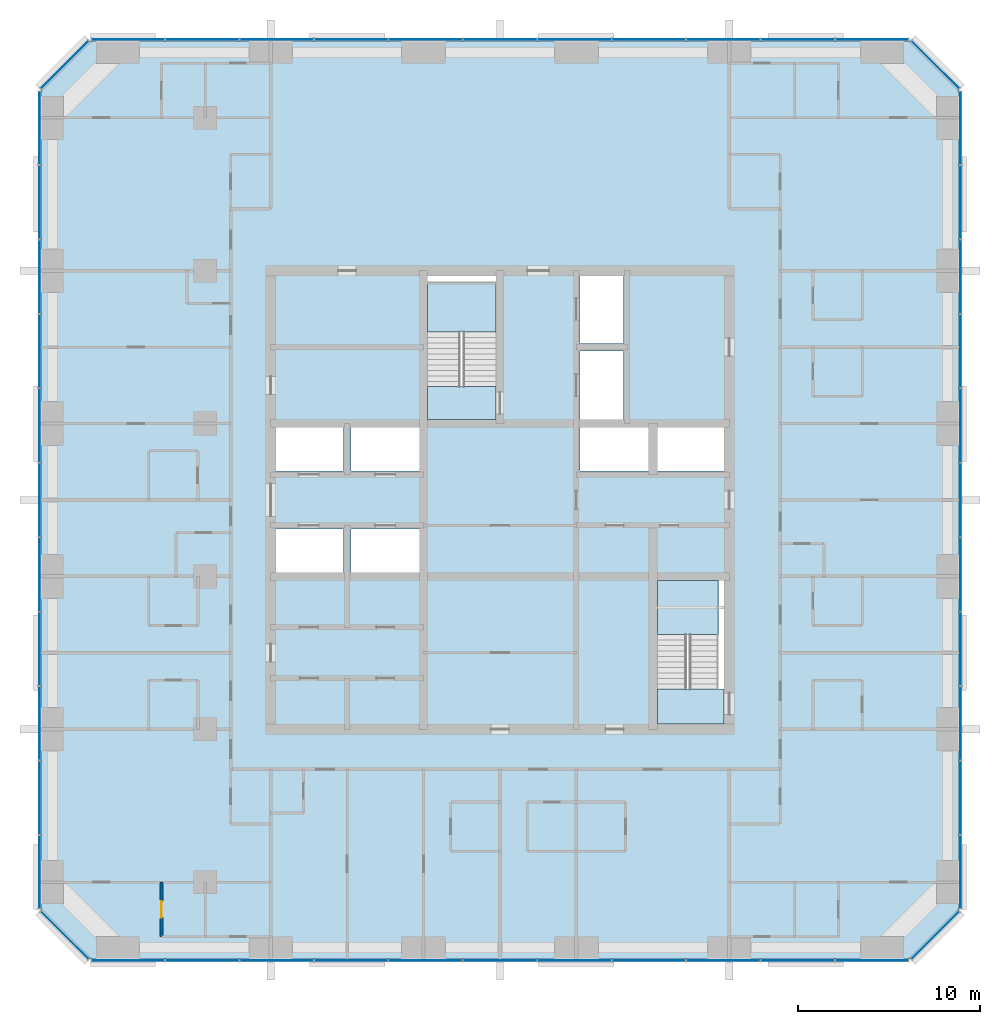
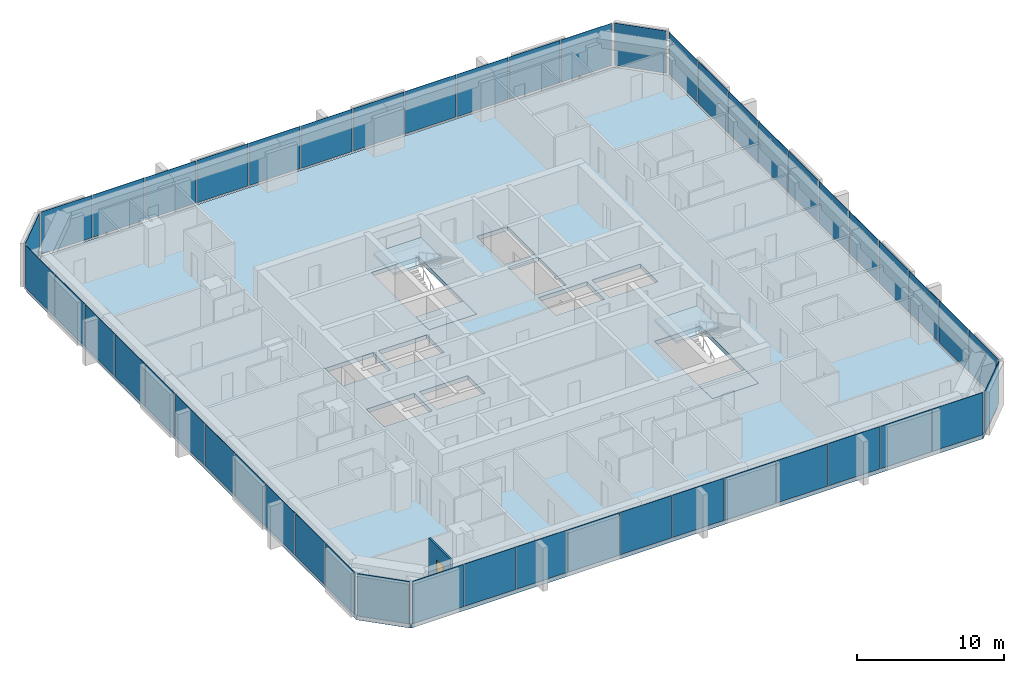
# One storey, part 7 of 13: 48 plates, 5 slabs, 1 door, 1 wall, 1 opening, 10 elements without a shape of their own.
"""IFC4 building model written with IfcOpenShell, lengths in metres."""

from ifc_helpers import new_model, si_unit, direction, frame, frame_2d, origin, origin_2d, place, context, subcontext, project, spatial, polyline, rectangle, outline, extrude, material, layer, layer_set, type_object, element, fill, aggregate, save


model = new_model("IFC4")

# Units and contexts
model_context = context("Model", 3, precision=1e-05, world=origin(), true_north=direction((0.0, 1.0)))
body_context = subcontext(model_context, "Body", "Model", "MODEL_VIEW")
ifc_project = project(units=[si_unit("LENGTHUNIT", "METRE"), si_unit("AREAUNIT", "SQUARE_METRE"), si_unit("VOLUMEUNIT", "CUBIC_METRE"), si_unit("PLANEANGLEUNIT", "RADIAN"), si_unit("MASSUNIT", "GRAM", prefix="KILO")], contexts=[model_context])

# Site, building, storey
site_placement = place(None, origin())
site = spatial("IfcSite", under=ifc_project, at=site_placement, CompositionType="ELEMENT")
building_placement = place(site_placement, origin())
building = spatial("IfcBuilding", under=site, at=building_placement, Name="Dunama Terrace Hotel", CompositionType="ELEMENT")
storey_placement = place(building_placement, frame((0.0, 0.0, 209.39990234375)))
storey = spatial("IfcBuildingStorey", under=building, at=storey_placement, Name="L54", CompositionType="ELEMENT", Elevation=209.39990234375)

# Curtain wall, plates
ifc_material_1 = material(Name="Aluminium curtain wall system", Category="aluminium")
curtain_wall_type = type_object("IfcCurtainWallType", Name="Unitised fritted glass wall CW-C", PredefinedType="NOTDEFINED", material=ifc_material_1)
curtain_wall_1_placement = place(storey_placement, origin())
curtain_wall_1 = element("IfcCurtainWall", 1, at=curtain_wall_1_placement, inside=storey, type_object=curtain_wall_type, Name="Unitised fritted glass wall CW-C L54", PredefinedType="NOTDEFINED")
ifc_material_2 = material(Name="Laminated glass", Category="glass")
ifc_layer_1 = layer(ifc_material_2, 0.031982421875)
ifc_layer_set_1 = layer_set([ifc_layer_1], Name="CWC clear glass panel")
plate_type_1 = type_object("IfcPlateType", Name="CWC clear glass panel", PredefinedType="CURTAIN_PANEL", material=ifc_layer_set_1)
plate_1_placement = place(storey_placement, frame((17.126953125, 4.10009765625, 0.080078125), z_axis=(0.0, 0.0, 1.0), x_axis=(1.0, 0.0, 0.0)))
plate_1 = element("IfcPlate", 2, at=plate_1_placement, type_object=plate_type_1, Name="CWC clear glass panel", PredefinedType="CURTAIN_PANEL", context=body_context, shape_type="SweptSolid", body=[
    extrude(rectangle(XDim=4.02099609375, YDim=0.031982421875, at=origin_2d()), origin(), (0.0, 0.0, 1.0), 3.52001953125),
])
plate_2_placement = place(storey_placement, frame((29.39990234375, 4.10009765625, 0.080078125), z_axis=(0.0, 0.0, 1.0), x_axis=(1.0, 0.0, 0.0)))
plate_2 = element("IfcPlate", 3, at=plate_2_placement, type_object=plate_type_1, Name="CWC clear glass panel", PredefinedType="CURTAIN_PANEL", context=body_context, shape_type="SweptSolid", body=[
    extrude(rectangle(XDim=4.02099609375, YDim=0.031982421875, at=origin_2d()), origin(), (0.0, 0.0, 1.0), 3.52001953125),
])
plate_3_placement = place(storey_placement, frame((41.673095703125, 4.10009765625, 0.080078125), z_axis=(0.0, 0.0, 1.0), x_axis=(1.0, 0.0, 0.0)))
plate_3 = element("IfcPlate", 4, at=plate_3_placement, type_object=plate_type_1, Name="CWC clear glass panel", PredefinedType="CURTAIN_PANEL", context=body_context, shape_type="SweptSolid", body=[
    extrude(rectangle(XDim=4.02099609375, YDim=0.031982421875, at=origin_2d()), origin(), (0.0, 0.0, 1.0), 3.52001953125),
])

# Curtain wall, plate
curtain_wall_2_placement = place(storey_placement, origin())
curtain_wall_2 = element("IfcCurtainWall", 5, at=curtain_wall_2_placement, inside=storey, type_object=curtain_wall_type, Name="Unitised fritted glass wall CW-C L54", PredefinedType="NOTDEFINED")
plate_4_placement = place(storey_placement, frame((53.321044921875, 5.47900390625, 0.080078125), z_axis=(0.0, 0.0, 1.0), x_axis=(0.707106781187, 0.707106781187, 0.0)))
plate_4 = element("IfcPlate", 6, at=plate_4_placement, type_object=plate_type_1, Name="CWC clear glass panel", PredefinedType="CURTAIN_PANEL", context=body_context, shape_type="SweptSolid", body=[
    extrude(rectangle(XDim=3.678466796875, YDim=0.031982421875, at=origin_2d()), origin(), (0.0, 0.0, 1.0), 3.52001953125),
])
aggregate(curtain_wall_2, [plate_4])

# Curtain wall, plates
curtain_wall_3_placement = place(storey_placement, origin())
curtain_wall_3 = element("IfcCurtainWall", 7, at=curtain_wall_3_placement, inside=storey, type_object=curtain_wall_type, Name="Unitised fritted glass wall CW-C L54", PredefinedType="NOTDEFINED")
plate_5_placement = place(storey_placement, frame((54.699951171875, 17.126953125, 0.080078125), z_axis=(0.0, 0.0, 1.0), x_axis=(0.0, 1.0, 0.0)))
plate_5 = element("IfcPlate", 8, at=plate_5_placement, type_object=plate_type_1, Name="CWC clear glass panel", PredefinedType="CURTAIN_PANEL", context=body_context, shape_type="SweptSolid", body=[
    extrude(rectangle(XDim=4.02099609375, YDim=0.031982421875, at=origin_2d()), origin(), (0.0, 0.0, 1.0), 3.52001953125),
])
plate_6_placement = place(storey_placement, frame((54.699951171875, 29.39990234375, 0.080078125), z_axis=(0.0, 0.0, 1.0), x_axis=(0.0, 1.0, 0.0)))
plate_6 = element("IfcPlate", 9, at=plate_6_placement, type_object=plate_type_1, Name="CWC clear glass panel", PredefinedType="CURTAIN_PANEL", context=body_context, shape_type="SweptSolid", body=[
    extrude(rectangle(XDim=4.02099609375, YDim=0.031982421875, at=origin_2d()), origin(), (0.0, 0.0, 1.0), 3.52001953125),
])
plate_7_placement = place(storey_placement, frame((54.699951171875, 41.673095703125, 0.080078125), z_axis=(0.0, 0.0, 1.0), x_axis=(0.0, 1.0, 0.0)))
plate_7 = element("IfcPlate", 10, at=plate_7_placement, type_object=plate_type_1, Name="CWC clear glass panel", PredefinedType="CURTAIN_PANEL", context=body_context, shape_type="SweptSolid", body=[
    extrude(rectangle(XDim=4.02099609375, YDim=0.031982421875, at=origin_2d()), origin(), (0.0, 0.0, 1.0), 3.52001953125),
])

# Curtain wall, plate
curtain_wall_4_placement = place(storey_placement, origin())
curtain_wall_4 = element("IfcCurtainWall", 11, at=curtain_wall_4_placement, inside=storey, type_object=curtain_wall_type, Name="Unitised fritted glass wall CW-C L54", PredefinedType="NOTDEFINED")
plate_8_placement = place(storey_placement, frame((53.321044921875, 53.321044921875, 0.080078125), z_axis=(0.0, 0.0, 1.0), x_axis=(-0.707106781187, 0.707106781187, 0.0)))
plate_8 = element("IfcPlate", 12, at=plate_8_placement, type_object=plate_type_1, Name="CWC clear glass panel", PredefinedType="CURTAIN_PANEL", context=body_context, shape_type="SweptSolid", body=[
    extrude(rectangle(XDim=3.678466796875, YDim=0.031982421875, at=origin_2d()), origin(), (0.0, 0.0, 1.0), 3.52001953125),
])
aggregate(curtain_wall_4, [plate_8])

# Curtain wall, plates
curtain_wall_5_placement = place(storey_placement, origin())
curtain_wall_5 = element("IfcCurtainWall", 13, at=curtain_wall_5_placement, inside=storey, type_object=curtain_wall_type, Name="Unitised fritted glass wall CW-C L54", PredefinedType="NOTDEFINED")
plate_9_placement = place(storey_placement, frame((41.673095703125, 54.699951171875, 0.080078125), z_axis=(0.0, 0.0, 1.0), x_axis=(-1.0, 0.0, 0.0)))
plate_9 = element("IfcPlate", 14, at=plate_9_placement, type_object=plate_type_1, Name="CWC clear glass panel", PredefinedType="CURTAIN_PANEL", context=body_context, shape_type="SweptSolid", body=[
    extrude(rectangle(XDim=4.02099609375, YDim=0.031982421875, at=origin_2d()), origin(), (0.0, 0.0, 1.0), 3.52001953125),
])
plate_10_placement = place(storey_placement, frame((29.39990234375, 54.699951171875, 0.080078125), z_axis=(0.0, 0.0, 1.0), x_axis=(-1.0, 0.0, 0.0)))
plate_10 = element("IfcPlate", 15, at=plate_10_placement, type_object=plate_type_1, Name="CWC clear glass panel", PredefinedType="CURTAIN_PANEL", context=body_context, shape_type="SweptSolid", body=[
    extrude(rectangle(XDim=4.02099609375, YDim=0.031982421875, at=origin_2d()), origin(), (0.0, 0.0, 1.0), 3.52001953125),
])
plate_11_placement = place(storey_placement, frame((17.126953125, 54.699951171875, 0.080078125), z_axis=(0.0, 0.0, 1.0), x_axis=(-1.0, 0.0, 0.0)))
plate_11 = element("IfcPlate", 16, at=plate_11_placement, type_object=plate_type_1, Name="CWC clear glass panel", PredefinedType="CURTAIN_PANEL", context=body_context, shape_type="SweptSolid", body=[
    extrude(rectangle(XDim=4.02099609375, YDim=0.031982421875, at=origin_2d()), origin(), (0.0, 0.0, 1.0), 3.52001953125),
])

# Curtain wall, plate
curtain_wall_6_placement = place(storey_placement, origin())
curtain_wall_6 = element("IfcCurtainWall", 17, at=curtain_wall_6_placement, inside=storey, type_object=curtain_wall_type, Name="Unitised fritted glass wall CW-C L54", PredefinedType="NOTDEFINED")
plate_12_placement = place(storey_placement, frame((5.47900390625, 53.321044921875, 0.080078125), z_axis=(0.0, 0.0, 1.0), x_axis=(-0.707106781187, -0.707106781187, 0.0)))
plate_12 = element("IfcPlate", 18, at=plate_12_placement, type_object=plate_type_1, Name="CWC clear glass panel", PredefinedType="CURTAIN_PANEL", context=body_context, shape_type="SweptSolid", body=[
    extrude(rectangle(XDim=3.678466796875, YDim=0.031982421875, at=origin_2d()), origin(), (0.0, 0.0, 1.0), 3.52001953125),
])
aggregate(curtain_wall_6, [plate_12])

# Curtain wall, plates
curtain_wall_7_placement = place(storey_placement, origin())
curtain_wall_7 = element("IfcCurtainWall", 19, at=curtain_wall_7_placement, inside=storey, type_object=curtain_wall_type, Name="Unitised fritted glass wall CW-C L54", PredefinedType="NOTDEFINED")
plate_13_placement = place(storey_placement, frame((4.10009765625, 41.673095703125, 0.080078125), z_axis=(0.0, 0.0, 1.0), x_axis=(0.0, -1.0, 0.0)))
plate_13 = element("IfcPlate", 20, at=plate_13_placement, type_object=plate_type_1, Name="CWC clear glass panel", PredefinedType="CURTAIN_PANEL", context=body_context, shape_type="SweptSolid", body=[
    extrude(rectangle(XDim=4.02099609375, YDim=0.031982421875, at=origin_2d()), origin(), (0.0, 0.0, 1.0), 3.52001953125),
])
plate_14_placement = place(storey_placement, frame((4.10009765625, 29.39990234375, 0.080078125), z_axis=(0.0, 0.0, 1.0), x_axis=(0.0, -1.0, 0.0)))
plate_14 = element("IfcPlate", 21, at=plate_14_placement, type_object=plate_type_1, Name="CWC clear glass panel", PredefinedType="CURTAIN_PANEL", context=body_context, shape_type="SweptSolid", body=[
    extrude(rectangle(XDim=4.02099609375, YDim=0.031982421875, at=origin_2d()), origin(), (0.0, 0.0, 1.0), 3.52001953125),
])
plate_15_placement = place(storey_placement, frame((4.10009765625, 17.126953125, 0.080078125), z_axis=(0.0, 0.0, 1.0), x_axis=(0.0, -1.0, 0.0)))
plate_15 = element("IfcPlate", 22, at=plate_15_placement, type_object=plate_type_1, Name="CWC clear glass panel", PredefinedType="CURTAIN_PANEL", context=body_context, shape_type="SweptSolid", body=[
    extrude(rectangle(XDim=4.02099609375, YDim=0.031982421875, at=origin_2d()), origin(), (0.0, 0.0, 1.0), 3.52001953125),
])

# Curtain wall, plate
curtain_wall_8_placement = place(storey_placement, origin())
curtain_wall_8 = element("IfcCurtainWall", 23, at=curtain_wall_8_placement, inside=storey, type_object=curtain_wall_type, Name="Unitised fritted glass wall CW-C L54", PredefinedType="NOTDEFINED")
plate_16_placement = place(storey_placement, frame((5.47900390625, 5.47900390625, 0.080078125), z_axis=(0.0, 0.0, 1.0), x_axis=(0.707106781187, -0.707106781187, 0.0)))
plate_16 = element("IfcPlate", 24, at=plate_16_placement, type_object=plate_type_1, Name="CWC clear glass panel", PredefinedType="CURTAIN_PANEL", context=body_context, shape_type="SweptSolid", body=[
    extrude(rectangle(XDim=3.678466796875, YDim=0.031982421875, at=origin_2d()), origin(), (0.0, 0.0, 1.0), 3.52001953125),
])
aggregate(curtain_wall_8, [plate_16])

# Plate
ifc_material_3 = material(Name="Fritted laminated glass", Category="glass")
ifc_layer_2 = layer(ifc_material_3, 0.031982421875)
ifc_layer_set_2 = layer_set([ifc_layer_2], Name="CWC fritted glass panel")
plate_type_2 = type_object("IfcPlateType", Name="CWC fritted glass panel", PredefinedType="CURTAIN_PANEL", material=ifc_layer_set_2)
plate_17_placement = place(storey_placement, frame((13.035888671875, 4.10009765625, 0.080078125), z_axis=(0.0, 0.0, 1.0), x_axis=(1.0, 0.0, 0.0)))
plate_17 = element("IfcPlate", 25, at=plate_17_placement, type_object=plate_type_2, Name="CWC fritted glass panel", PredefinedType="CURTAIN_PANEL", context=body_context, shape_type="SweptSolid", body=[
    extrude(rectangle(XDim=4.02099609375, YDim=0.031982421875, at=origin_2d()), origin(), (0.0, 0.0, 1.0), 3.52001953125),
])

plate_18_placement = place(storey_placement, frame((25.30908203125, 4.10009765625, 0.080078125), z_axis=(0.0, 0.0, 1.0), x_axis=(1.0, 0.0, 0.0)))
plate_18 = element("IfcPlate", 26, at=plate_18_placement, type_object=plate_type_2, Name="CWC fritted glass panel", PredefinedType="CURTAIN_PANEL", context=body_context, shape_type="SweptSolid", body=[
    extrude(rectangle(XDim=4.02099609375, YDim=0.031982421875, at=origin_2d()), origin(), (0.0, 0.0, 1.0), 3.52001953125),
])

plate_19_placement = place(storey_placement, frame((37.58203125, 4.10009765625, 0.080078125), z_axis=(0.0, 0.0, 1.0), x_axis=(1.0, 0.0, 0.0)))
plate_19 = element("IfcPlate", 27, at=plate_19_placement, type_object=plate_type_2, Name="CWC fritted glass panel", PredefinedType="CURTAIN_PANEL", context=body_context, shape_type="SweptSolid", body=[
    extrude(rectangle(XDim=4.02099609375, YDim=0.031982421875, at=origin_2d()), origin(), (0.0, 0.0, 1.0), 3.52001953125),
])

plate_20_placement = place(storey_placement, frame((49.8369140625, 4.10009765625, 0.080078125), z_axis=(0.0, 0.0, 1.0), x_axis=(1.0, 0.0, 0.0)))
plate_20 = element("IfcPlate", 28, at=plate_20_placement, type_object=plate_type_2, Name="CWC fritted glass panel", PredefinedType="CURTAIN_PANEL", context=body_context, shape_type="SweptSolid", body=[
    extrude(rectangle(XDim=3.98583984375, YDim=0.031982421875, at=origin_2d()), origin(), (0.0, 0.0, 1.0), 3.52001953125),
])

plate_21_placement = place(storey_placement, frame((54.699951171875, 13.035888671875, 0.080078125), z_axis=(0.0, 0.0, 1.0), x_axis=(0.0, 1.0, 0.0)))
plate_21 = element("IfcPlate", 29, at=plate_21_placement, type_object=plate_type_2, Name="CWC fritted glass panel", PredefinedType="CURTAIN_PANEL", context=body_context, shape_type="SweptSolid", body=[
    extrude(rectangle(XDim=4.02099609375, YDim=0.031982421875, at=origin_2d()), origin(), (0.0, 0.0, 1.0), 3.52001953125),
])

plate_22_placement = place(storey_placement, frame((54.699951171875, 25.30908203125, 0.080078125), z_axis=(0.0, 0.0, 1.0), x_axis=(0.0, 1.0, 0.0)))
plate_22 = element("IfcPlate", 30, at=plate_22_placement, type_object=plate_type_2, Name="CWC fritted glass panel", PredefinedType="CURTAIN_PANEL", context=body_context, shape_type="SweptSolid", body=[
    extrude(rectangle(XDim=4.02099609375, YDim=0.031982421875, at=origin_2d()), origin(), (0.0, 0.0, 1.0), 3.52001953125),
])

plate_23_placement = place(storey_placement, frame((54.699951171875, 37.58203125, 0.080078125), z_axis=(0.0, 0.0, 1.0), x_axis=(0.0, 1.0, 0.0)))
plate_23 = element("IfcPlate", 31, at=plate_23_placement, type_object=plate_type_2, Name="CWC fritted glass panel", PredefinedType="CURTAIN_PANEL", context=body_context, shape_type="SweptSolid", body=[
    extrude(rectangle(XDim=4.02099609375, YDim=0.031982421875, at=origin_2d()), origin(), (0.0, 0.0, 1.0), 3.52001953125),
])

plate_24_placement = place(storey_placement, frame((54.699951171875, 49.8369140625, 0.080078125), z_axis=(0.0, 0.0, 1.0), x_axis=(0.0, 1.0, 0.0)))
plate_24 = element("IfcPlate", 32, at=plate_24_placement, type_object=plate_type_2, Name="CWC fritted glass panel", PredefinedType="CURTAIN_PANEL", context=body_context, shape_type="SweptSolid", body=[
    extrude(rectangle(XDim=3.98583984375, YDim=0.031982421875, at=origin_2d()), origin(), (0.0, 0.0, 1.0), 3.52001953125),
])

plate_25_placement = place(storey_placement, frame((45.763916015625, 54.699951171875, 0.080078125), z_axis=(0.0, 0.0, 1.0), x_axis=(-1.0, 0.0, 0.0)))
plate_25 = element("IfcPlate", 33, at=plate_25_placement, type_object=plate_type_2, Name="CWC fritted glass panel", PredefinedType="CURTAIN_PANEL", context=body_context, shape_type="SweptSolid", body=[
    extrude(rectangle(XDim=4.02099609375, YDim=0.031982421875, at=origin_2d()), origin(), (0.0, 0.0, 1.0), 3.52001953125),
])

plate_26_placement = place(storey_placement, frame((33.490966796875, 54.699951171875, 0.080078125), z_axis=(0.0, 0.0, 1.0), x_axis=(-1.0, 0.0, 0.0)))
plate_26 = element("IfcPlate", 34, at=plate_26_placement, type_object=plate_type_2, Name="CWC fritted glass panel", PredefinedType="CURTAIN_PANEL", context=body_context, shape_type="SweptSolid", body=[
    extrude(rectangle(XDim=4.02099609375, YDim=0.031982421875, at=origin_2d()), origin(), (0.0, 0.0, 1.0), 3.52001953125),
])

plate_27_placement = place(storey_placement, frame((21.218017578125, 54.699951171875, 0.080078125), z_axis=(0.0, 0.0, 1.0), x_axis=(-1.0, 0.0, 0.0)))
plate_27 = element("IfcPlate", 35, at=plate_27_placement, type_object=plate_type_2, Name="CWC fritted glass panel", PredefinedType="CURTAIN_PANEL", context=body_context, shape_type="SweptSolid", body=[
    extrude(rectangle(XDim=4.02099609375, YDim=0.031982421875, at=origin_2d()), origin(), (0.0, 0.0, 1.0), 3.52001953125),
])

plate_28_placement = place(storey_placement, frame((8.962890625, 54.699951171875, 0.080078125), z_axis=(0.0, 0.0, 1.0), x_axis=(-1.0, 0.0, 0.0)))
plate_28 = element("IfcPlate", 36, at=plate_28_placement, type_object=plate_type_2, Name="CWC fritted glass panel", PredefinedType="CURTAIN_PANEL", context=body_context, shape_type="SweptSolid", body=[
    extrude(rectangle(XDim=3.98583984375, YDim=0.031982421875, at=origin_2d()), origin(), (0.0, 0.0, 1.0), 3.52001953125),
])

plate_29_placement = place(storey_placement, frame((4.10009765625, 45.763916015625, 0.080078125), z_axis=(0.0, 0.0, 1.0), x_axis=(0.0, -1.0, 0.0)))
plate_29 = element("IfcPlate", 37, at=plate_29_placement, type_object=plate_type_2, Name="CWC fritted glass panel", PredefinedType="CURTAIN_PANEL", context=body_context, shape_type="SweptSolid", body=[
    extrude(rectangle(XDim=4.02099609375, YDim=0.031982421875, at=origin_2d()), origin(), (0.0, 0.0, 1.0), 3.52001953125),
])

plate_30_placement = place(storey_placement, frame((4.10009765625, 33.490966796875, 0.080078125), z_axis=(0.0, 0.0, 1.0), x_axis=(0.0, -1.0, 0.0)))
plate_30 = element("IfcPlate", 38, at=plate_30_placement, type_object=plate_type_2, Name="CWC fritted glass panel", PredefinedType="CURTAIN_PANEL", context=body_context, shape_type="SweptSolid", body=[
    extrude(rectangle(XDim=4.02099609375, YDim=0.031982421875, at=origin_2d()), origin(), (0.0, 0.0, 1.0), 3.52001953125),
])

plate_31_placement = place(storey_placement, frame((4.10009765625, 21.218017578125, 0.080078125), z_axis=(0.0, 0.0, 1.0), x_axis=(0.0, -1.0, 0.0)))
plate_31 = element("IfcPlate", 39, at=plate_31_placement, type_object=plate_type_2, Name="CWC fritted glass panel", PredefinedType="CURTAIN_PANEL", context=body_context, shape_type="SweptSolid", body=[
    extrude(rectangle(XDim=4.02099609375, YDim=0.031982421875, at=origin_2d()), origin(), (0.0, 0.0, 1.0), 3.52001953125),
])

plate_32_placement = place(storey_placement, frame((4.10009765625, 8.962890625, 0.080078125), z_axis=(0.0, 0.0, 1.0), x_axis=(0.0, -1.0, 0.0)))
plate_32 = element("IfcPlate", 40, at=plate_32_placement, type_object=plate_type_2, Name="CWC fritted glass panel", PredefinedType="CURTAIN_PANEL", context=body_context, shape_type="SweptSolid", body=[
    extrude(rectangle(XDim=3.98583984375, YDim=0.031982421875, at=origin_2d()), origin(), (0.0, 0.0, 1.0), 3.52001953125),
])

ifc_material_4 = material(Name="Laminated glass", Category="glass")
ifc_layer_3 = layer(ifc_material_4, 0.031982421875)
ifc_layer_set_3 = layer_set([ifc_layer_3], Name="CWC operable glass panel")
plate_type_3 = type_object("IfcPlateType", Name="CWC operable glass panel", PredefinedType="CURTAIN_PANEL", material=ifc_layer_set_3)
plate_33_placement = place(storey_placement, frame((8.962890625, 4.10009765625, 0.080078125), z_axis=(0.0, 0.0, 1.0), x_axis=(1.0, 0.0, 0.0)))
plate_33 = element("IfcPlate", 41, at=plate_33_placement, type_object=plate_type_3, Name="CWC operable glass panel", PredefinedType="CURTAIN_PANEL", context=body_context, shape_type="SweptSolid", body=[
    extrude(rectangle(XDim=3.98583984375, YDim=0.031982421875, at=origin_2d()), origin(), (0.0, 0.0, 1.0), 3.52001953125),
])

plate_34_placement = place(storey_placement, frame((21.218017578125, 4.10009765625, 0.080078125), z_axis=(0.0, 0.0, 1.0), x_axis=(1.0, 0.0, 0.0)))
plate_34 = element("IfcPlate", 42, at=plate_34_placement, type_object=plate_type_3, Name="CWC operable glass panel", PredefinedType="CURTAIN_PANEL", context=body_context, shape_type="SweptSolid", body=[
    extrude(rectangle(XDim=4.02099609375, YDim=0.031982421875, at=origin_2d()), origin(), (0.0, 0.0, 1.0), 3.52001953125),
])

plate_35_placement = place(storey_placement, frame((33.490966796875, 4.10009765625, 0.080078125), z_axis=(0.0, 0.0, 1.0), x_axis=(1.0, 0.0, 0.0)))
plate_35 = element("IfcPlate", 43, at=plate_35_placement, type_object=plate_type_3, Name="CWC operable glass panel", PredefinedType="CURTAIN_PANEL", context=body_context, shape_type="SweptSolid", body=[
    extrude(rectangle(XDim=4.02099609375, YDim=0.031982421875, at=origin_2d()), origin(), (0.0, 0.0, 1.0), 3.52001953125),
])

plate_36_placement = place(storey_placement, frame((45.763916015625, 4.10009765625, 0.080078125), z_axis=(0.0, 0.0, 1.0), x_axis=(1.0, 0.0, 0.0)))
plate_36 = element("IfcPlate", 44, at=plate_36_placement, type_object=plate_type_3, Name="CWC operable glass panel", PredefinedType="CURTAIN_PANEL", context=body_context, shape_type="SweptSolid", body=[
    extrude(rectangle(XDim=4.02099609375, YDim=0.031982421875, at=origin_2d()), origin(), (0.0, 0.0, 1.0), 3.52001953125),
])

aggregate(curtain_wall_1, [plate_33, plate_17, plate_1, plate_34, plate_18, plate_2, plate_35, plate_19, plate_3, plate_36, plate_20])

plate_37_placement = place(storey_placement, frame((54.699951171875, 8.962890625, 0.080078125), z_axis=(0.0, 0.0, 1.0), x_axis=(0.0, 1.0, 0.0)))
plate_37 = element("IfcPlate", 45, at=plate_37_placement, type_object=plate_type_3, Name="CWC operable glass panel", PredefinedType="CURTAIN_PANEL", context=body_context, shape_type="SweptSolid", body=[
    extrude(rectangle(XDim=3.98583984375, YDim=0.031982421875, at=origin_2d()), origin(), (0.0, 0.0, 1.0), 3.52001953125),
])

plate_38_placement = place(storey_placement, frame((54.699951171875, 21.218017578125, 0.080078125), z_axis=(0.0, 0.0, 1.0), x_axis=(0.0, 1.0, 0.0)))
plate_38 = element("IfcPlate", 46, at=plate_38_placement, type_object=plate_type_3, Name="CWC operable glass panel", PredefinedType="CURTAIN_PANEL", context=body_context, shape_type="SweptSolid", body=[
    extrude(rectangle(XDim=4.02099609375, YDim=0.031982421875, at=origin_2d()), origin(), (0.0, 0.0, 1.0), 3.52001953125),
])

plate_39_placement = place(storey_placement, frame((54.699951171875, 33.490966796875, 0.080078125), z_axis=(0.0, 0.0, 1.0), x_axis=(0.0, 1.0, 0.0)))
plate_39 = element("IfcPlate", 47, at=plate_39_placement, type_object=plate_type_3, Name="CWC operable glass panel", PredefinedType="CURTAIN_PANEL", context=body_context, shape_type="SweptSolid", body=[
    extrude(rectangle(XDim=4.02099609375, YDim=0.031982421875, at=origin_2d()), origin(), (0.0, 0.0, 1.0), 3.52001953125),
])

plate_40_placement = place(storey_placement, frame((54.699951171875, 45.763916015625, 0.080078125), z_axis=(0.0, 0.0, 1.0), x_axis=(0.0, 1.0, 0.0)))
plate_40 = element("IfcPlate", 48, at=plate_40_placement, type_object=plate_type_3, Name="CWC operable glass panel", PredefinedType="CURTAIN_PANEL", context=body_context, shape_type="SweptSolid", body=[
    extrude(rectangle(XDim=4.02099609375, YDim=0.031982421875, at=origin_2d()), origin(), (0.0, 0.0, 1.0), 3.52001953125),
])

aggregate(curtain_wall_3, [plate_37, plate_21, plate_5, plate_38, plate_22, plate_6, plate_39, plate_23, plate_7, plate_40, plate_24])

plate_41_placement = place(storey_placement, frame((49.8369140625, 54.699951171875, 0.080078125), z_axis=(0.0, 0.0, 1.0), x_axis=(-1.0, 0.0, 0.0)))
plate_41 = element("IfcPlate", 49, at=plate_41_placement, type_object=plate_type_3, Name="CWC operable glass panel", PredefinedType="CURTAIN_PANEL", context=body_context, shape_type="SweptSolid", body=[
    extrude(rectangle(XDim=3.98583984375, YDim=0.031982421875, at=origin_2d()), origin(), (0.0, 0.0, 1.0), 3.52001953125),
])

plate_42_placement = place(storey_placement, frame((37.58203125, 54.699951171875, 0.080078125), z_axis=(0.0, 0.0, 1.0), x_axis=(-1.0, 0.0, 0.0)))
plate_42 = element("IfcPlate", 50, at=plate_42_placement, type_object=plate_type_3, Name="CWC operable glass panel", PredefinedType="CURTAIN_PANEL", context=body_context, shape_type="SweptSolid", body=[
    extrude(rectangle(XDim=4.02099609375, YDim=0.031982421875, at=origin_2d()), origin(), (0.0, 0.0, 1.0), 3.52001953125),
])

plate_43_placement = place(storey_placement, frame((25.30908203125, 54.699951171875, 0.080078125), z_axis=(0.0, 0.0, 1.0), x_axis=(-1.0, 0.0, 0.0)))
plate_43 = element("IfcPlate", 51, at=plate_43_placement, type_object=plate_type_3, Name="CWC operable glass panel", PredefinedType="CURTAIN_PANEL", context=body_context, shape_type="SweptSolid", body=[
    extrude(rectangle(XDim=4.02099609375, YDim=0.031982421875, at=origin_2d()), origin(), (0.0, 0.0, 1.0), 3.52001953125),
])

plate_44_placement = place(storey_placement, frame((13.035888671875, 54.699951171875, 0.080078125), z_axis=(0.0, 0.0, 1.0), x_axis=(-1.0, 0.0, 0.0)))
plate_44 = element("IfcPlate", 52, at=plate_44_placement, type_object=plate_type_3, Name="CWC operable glass panel", PredefinedType="CURTAIN_PANEL", context=body_context, shape_type="SweptSolid", body=[
    extrude(rectangle(XDim=4.02099609375, YDim=0.031982421875, at=origin_2d()), origin(), (0.0, 0.0, 1.0), 3.52001953125),
])

aggregate(curtain_wall_5, [plate_41, plate_25, plate_9, plate_42, plate_26, plate_10, plate_43, plate_27, plate_11, plate_44, plate_28])

plate_45_placement = place(storey_placement, frame((4.10009765625, 49.8369140625, 0.080078125), z_axis=(0.0, 0.0, 1.0), x_axis=(0.0, -1.0, 0.0)))
plate_45 = element("IfcPlate", 53, at=plate_45_placement, type_object=plate_type_3, Name="CWC operable glass panel", PredefinedType="CURTAIN_PANEL", context=body_context, shape_type="SweptSolid", body=[
    extrude(rectangle(XDim=3.98583984375, YDim=0.031982421875, at=origin_2d()), origin(), (0.0, 0.0, 1.0), 3.52001953125),
])

plate_46_placement = place(storey_placement, frame((4.10009765625, 37.58203125, 0.080078125), z_axis=(0.0, 0.0, 1.0), x_axis=(0.0, -1.0, 0.0)))
plate_46 = element("IfcPlate", 54, at=plate_46_placement, type_object=plate_type_3, Name="CWC operable glass panel", PredefinedType="CURTAIN_PANEL", context=body_context, shape_type="SweptSolid", body=[
    extrude(rectangle(XDim=4.02099609375, YDim=0.031982421875, at=origin_2d()), origin(), (0.0, 0.0, 1.0), 3.52001953125),
])

plate_47_placement = place(storey_placement, frame((4.10009765625, 25.30908203125, 0.080078125), z_axis=(0.0, 0.0, 1.0), x_axis=(0.0, -1.0, 0.0)))
plate_47 = element("IfcPlate", 55, at=plate_47_placement, type_object=plate_type_3, Name="CWC operable glass panel", PredefinedType="CURTAIN_PANEL", context=body_context, shape_type="SweptSolid", body=[
    extrude(rectangle(XDim=4.02099609375, YDim=0.031982421875, at=origin_2d()), origin(), (0.0, 0.0, 1.0), 3.52001953125),
])

plate_48_placement = place(storey_placement, frame((4.10009765625, 13.035888671875, 0.080078125), z_axis=(0.0, 0.0, 1.0), x_axis=(0.0, -1.0, 0.0)))
plate_48 = element("IfcPlate", 56, at=plate_48_placement, type_object=plate_type_3, Name="CWC operable glass panel", PredefinedType="CURTAIN_PANEL", context=body_context, shape_type="SweptSolid", body=[
    extrude(rectangle(XDim=4.02099609375, YDim=0.031982421875, at=origin_2d()), origin(), (0.0, 0.0, 1.0), 3.52001953125),
])

aggregate(curtain_wall_7, [plate_45, plate_29, plate_13, plate_46, plate_30, plate_14, plate_47, plate_31, plate_15, plate_48, plate_32])

# Slab
ifc_material_5 = material(Name="Concrete C40/50", Category="concrete")
ifc_layer_4 = layer(ifc_material_5, 0.35009765625)
ifc_layer_set_4 = layer_set([ifc_layer_4], Name="Flat plate 350")
slab_type_1 = type_object("IfcSlabType", Name="Flat plate 350", PredefinedType="FLOOR", material=ifc_layer_set_4)
slab_1_placement = place(storey_placement, frame((0.0, 0.0, -0.349853515625)))
element("IfcSlab", 57, at=slab_1_placement, inside=storey, type_object=slab_type_1, Name="Floor slab L54", PredefinedType="FLOOR", context=body_context, shape_type="SweptSolid", body=[
    extrude(outline(polyline([(6.89990234375, 4.199951171875), (51.89990234375, 4.199951171875), (54.60009765625, 6.89990234375), (54.60009765625, 51.89990234375), (51.89990234375, 54.60009765625), (6.89990234375, 54.60009765625), (4.199951171875, 51.89990234375), (4.199951171875, 6.89990234375), (6.89990234375, 4.199951171875)]), holes=[polyline([(20.800048828125, 25.39990234375), (20.800048828125, 27.800048828125), (17.0, 27.800048828125), (17.0, 25.39990234375), (20.800048828125, 25.39990234375)]), polyline([(25.0, 25.39990234375), (25.0, 27.800048828125), (21.199951171875, 27.800048828125), (21.199951171875, 25.39990234375), (25.0, 25.39990234375)]), polyline([(20.800048828125, 31.0), (20.800048828125, 33.39990234375), (17.0, 33.39990234375), (17.0, 31.0), (20.800048828125, 31.0)]), polyline([(25.0, 31.0), (25.0, 33.39990234375), (21.199951171875, 33.39990234375), (21.199951171875, 31.0), (25.0, 31.0)]), polyline([(37.60009765625, 31.0), (37.60009765625, 33.39990234375), (33.800048828125, 33.39990234375), (33.800048828125, 31.0), (37.60009765625, 31.0)]), polyline([(41.800048828125, 31.0), (41.800048828125, 33.39990234375), (38.0, 33.39990234375), (38.0, 31.0), (41.800048828125, 31.0)]), polyline([(36.199951171875, 38.0), (36.199951171875, 41.800048828125), (33.800048828125, 41.800048828125), (33.800048828125, 38.0), (36.199951171875, 38.0)]), polyline([(36.199951171875, 33.800048828125), (36.199951171875, 37.60009765625), (33.800048828125, 37.60009765625), (33.800048828125, 33.800048828125), (36.199951171875, 33.800048828125)]), polyline([(29.175048828125, 33.824951171875), (29.175048828125, 41.699951171875), (25.425048828125, 41.699951171875), (25.425048828125, 33.824951171875), (29.175048828125, 33.824951171875)]), polyline([(41.699951171875, 17.10009765625), (41.699951171875, 24.97509765625), (38.050048828125, 24.97509765625), (38.050048828125, 17.10009765625), (41.699951171875, 17.10009765625)])]), origin(), (0.0, 0.0, 1.0), 0.349853515625),
])

# Stair, slabs
ifc_material_6 = material(Name="Concrete C40/50", Category="concrete")
stair_type_1 = type_object("IfcStairType", Name="Stair ST1-3600-1800", PredefinedType="HALF_TURN_STAIR", material=ifc_material_6)
stair_1_placement = place(storey_placement, origin())
stair_1 = element("IfcStair", 58, at=stair_1_placement, inside=storey, type_object=stair_type_1, Name="Stair ST1 L54", PredefinedType="HALF_TURN_STAIR")
ifc_material_7 = material(Name="Concrete C40/50", Category="concrete")
ifc_layer_5 = layer(ifc_material_7, 0.199951171875)
ifc_layer_set_5 = layer_set([ifc_layer_5], Name="Stair landing 200")
slab_type_2 = type_object("IfcSlabType", Name="Stair landing 200", PredefinedType="LANDING", material=ifc_layer_set_5)
slab_2_placement = place(storey_placement, frame((0.0, 0.0, -0.199951171875)))
slab_2 = element("IfcSlab", 59, at=slab_2_placement, type_object=slab_type_2, Name="ST1 landing 1, type S10", PredefinedType="LANDING", context=body_context, shape_type="SweptSolid", body=[
    extrude(outline(polyline([(25.425048828125, 33.824951171875), (29.175048828125, 33.824951171875), (29.175048828125, 35.625), (25.425048828125, 35.625), (25.425048828125, 33.824951171875)])), origin(), (0.0, 0.0, 1.0), 0.199951171875),
])
slab_3_placement = place(storey_placement, frame((0.0, 0.0, 1.60009765625)))
slab_3 = element("IfcSlab", 60, at=slab_3_placement, type_object=slab_type_2, Name="ST1 landing 2, type S10", PredefinedType="LANDING", context=body_context, shape_type="SweptSolid", body=[
    extrude(outline(polyline([(25.425048828125, 38.625), (29.175048828125, 38.625), (29.175048828125, 41.39990234375), (25.425048828125, 41.39990234375), (25.425048828125, 38.625)])), origin(), (0.0, 0.0, 1.0), 0.199951171875),
])
aggregate(stair_1, [slab_2, slab_3])

ifc_material_8 = material(Name="Concrete C40/50", Category="concrete")
stair_type_2 = type_object("IfcStairType", Name="Stair ST2-3600-1600", PredefinedType="HALF_TURN_STAIR", material=ifc_material_8)
stair_2_placement = place(storey_placement, origin())
stair_2 = element("IfcStair", 61, at=stair_2_placement, inside=storey, type_object=stair_type_2, Name="Stair ST2 L54", PredefinedType="HALF_TURN_STAIR")
slab_4_placement = place(storey_placement, frame((0.0, 0.0, -0.199951171875)))
slab_4 = element("IfcSlab", 62, at=slab_4_placement, type_object=slab_type_2, Name="ST2 landing 1, type S10", PredefinedType="LANDING", context=body_context, shape_type="SweptSolid", body=[
    extrude(outline(polyline([(38.050048828125, 17.10009765625), (41.699951171875, 17.10009765625), (41.699951171875, 19.0), (38.050048828125, 19.0), (38.050048828125, 17.10009765625)])), origin(), (0.0, 0.0, 1.0), 0.199951171875),
])
slab_5_placement = place(storey_placement, frame((0.0, 0.0, 1.60009765625)))
slab_5 = element("IfcSlab", 63, at=slab_5_placement, type_object=slab_type_2, Name="ST2 landing 2, type S10", PredefinedType="LANDING", context=body_context, shape_type="SweptSolid", body=[
    extrude(outline(polyline([(38.050048828125, 22.0), (41.39990234375, 22.0), (41.39990234375, 24.97509765625), (38.050048828125, 24.97509765625), (38.050048828125, 22.0)])), origin(), (0.0, 0.0, 1.0), 0.199951171875),
])
aggregate(stair_2, [slab_4, slab_5])

# Wall, opening, door
ifc_material_9 = material(Name="Gypsum board partition", Category="masonry")
ifc_layer_6 = layer(ifc_material_9, 0.14990234375)
ifc_layer_set_6 = layer_set([ifc_layer_6], Name="Room partition 150")
wall_type = type_object("IfcWallType", Name="Room partition 150", PredefinedType="PARTITIONING", material=ifc_layer_set_6)
wall_placement = place(storey_placement, frame((10.800048828125, 5.39990234375, 0.0), z_axis=(0.0, 0.0, 1.0), x_axis=(0.0, 1.0, 0.0)))
wall = element("IfcWall", 64, at=wall_placement, inside=storey, type_object=wall_type, Name="Room partition 150 L54", PredefinedType="PARTITIONING", context=body_context, shape_type="SweptSolid", body=[
    extrude(rectangle(XDim=3.0, YDim=0.14990234375, at=frame_2d((1.5, 0.0))), origin(), (0.0, 0.0, 1.0), 3.25),
])
opening_placement = place(wall_placement, frame((1.050048828125, 0.0, 0.0)))
opening = element("IfcOpeningElement", 65, at=opening_placement, cuts=wall, Name="Opening L53-54-044", PredefinedType="OPENING", context=body_context, shape_type="SweptSolid", body=[
    extrude(rectangle(XDim=0.89990234375, YDim=2.10009765625, at=frame_2d((0.449951171875, 1.050048828125))), frame((0.0, 0.0849609375, 0.0), z_axis=(0.0, -1.0, 0.0), x_axis=(1.0, 0.0, 0.0)), (0.0, 0.0, 1.0), 0.169921875),
])
ifc_material_10 = material(Name="Timber door with steel frame", Category="steel")
door_type = type_object("IfcDoorType", Name="Suite internal door 900", OperationType="SINGLE_SWING_LEFT", PredefinedType="DOOR", material=ifc_material_10)
door_placement = place(opening_placement, frame((0.89990234375, 0.0, 0.0), z_axis=(0.0, 0.0, 1.0), x_axis=(-1.0, 0.0, 0.0)))
door = element("IfcDoor", 66, at=door_placement, inside=storey, type_object=door_type, Name="Door to dressing room L53-54-044, type D16", OperationType="SINGLE_SWING_LEFT", OverallHeight=2.10009765625, OverallWidth=0.89990234375, PredefinedType="DOOR", context=body_context, shape_type="SweptSolid", body=[
    extrude(rectangle(XDim=0.89990234375, YDim=2.10009765625, at=frame_2d((0.449951171875, 1.050048828125))), frame((0.0, 0.025146484375, 0.0), z_axis=(0.0, -1.0, 0.0), x_axis=(1.0, 0.0, 0.0)), (0.0, 0.0, 1.0), 0.050048828125),
])
fill(opening, door)

save(model, "model.ifc")
